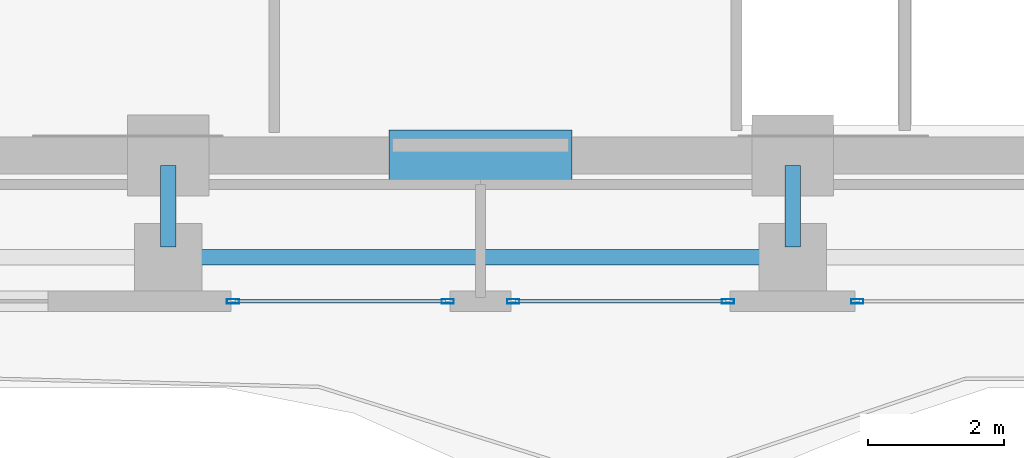
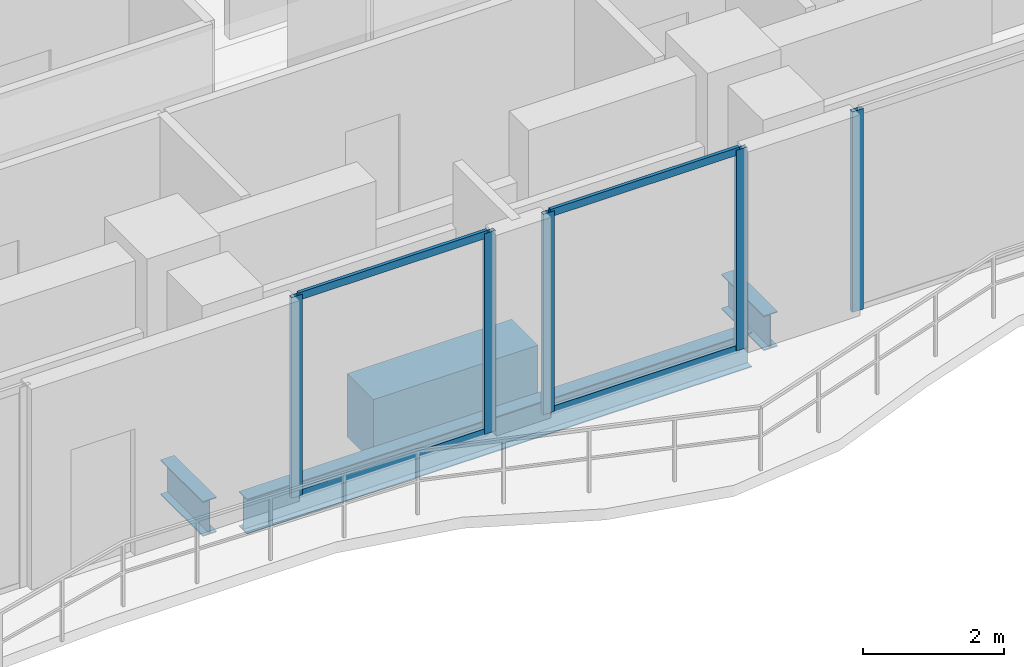
# One storey, part 4 of 23: 9 members, 4 beams, 3 elements without a shape of their own.
"""IFC4 building model written with IfcOpenShell, lengths in metres."""

from ifc_helpers import new_model, si_unit, direction, frame, origin, origin_2d, place, context, subcontext, project, spatial, rectangle, hollow_rectangle, i_section, extrude, material, layer, layer_set, material_profile, profile_set, type_object, element, aggregate, save


model = new_model("IFC4")

# Units and contexts
model_context = context("Model", 3, precision=1e-05, world=origin(), true_north=direction((0.0, 1.0)))
body_context = subcontext(model_context, "Body", "Model", "MODEL_VIEW")
ifc_project = project(units=[si_unit("LENGTHUNIT", "METRE"), si_unit("AREAUNIT", "SQUARE_METRE"), si_unit("VOLUMEUNIT", "CUBIC_METRE"), si_unit("PLANEANGLEUNIT", "RADIAN"), si_unit("MASSUNIT", "GRAM", prefix="KILO")], contexts=[model_context])

# Site, building, storey
site_placement = place(None, origin())
site = spatial("IfcSite", under=ifc_project, at=site_placement, CompositionType="ELEMENT")
building_placement = place(site_placement, origin())
building = spatial("IfcBuilding", under=site, at=building_placement, Name="Zuhayl Quay Hotel", CompositionType="ELEMENT")
storey_placement = place(building_placement, frame((0.0, 0.0, 265.550048828125)))
storey = spatial("IfcBuildingStorey", under=building, at=storey_placement, Name="L67", CompositionType="ELEMENT", Elevation=265.550048828125)

# Beams
ifc_material_1 = material(Name="Steel ASTM A992 Grade 50", Category="steel")
ifc_material_profile_1 = material_profile(ifc_material_1, i_section(OverallWidth=0.22802734375, OverallDepth=0.60693359375, WebThickness=0.01123046875, FlangeThickness=0.017333984375, at=origin_2d()), Name="W24X76")
ifc_profile_set_1 = profile_set([ifc_material_profile_1], Name="Steel ASTM A992 Grade 50")
beam_type_1 = type_object("IfcBeamType", Name="BM_B3_W24X76", PredefinedType="BEAM", material=ifc_profile_set_1)
beam_1_placement = place(storey_placement, frame((-4.139892578125, 0.64990234375, -0.5234375), z_axis=(1.0, 0.0, 0.0), x_axis=(0.0, 1.0, 0.0)))
element("IfcBeam", 1, at=beam_1_placement, inside=storey, type_object=beam_type_1, Name="L67 Floor Beam RG_L67_02", PredefinedType="BEAM", context=body_context, shape_type="SweptSolid", body=[
    extrude(i_section(OverallWidth=0.22802734375, OverallDepth=0.60693359375, WebThickness=0.01123046875, FlangeThickness=0.017333984375, at=origin_2d()), origin(), (0.0, 0.0, 1.0), 8.27978515625),
])
for number, where, z_axis, x_axis, name in (
    (2, (-4.60009765625, 0.800048828125, -0.5234375), (0.0, 1.0, 0.0), (-1.0, 0.0, 0.0), "L67 Floor Beam FG_S_L67_2"),
    (3, (4.60009765625, 0.800048828125, -0.5234375), (0.0, 1.0, 0.0), (-1.0, 0.0, 0.0), "L67 Floor Beam FG_S_L67_3"),
):
    element("IfcBeam", number, at=place(storey_placement, frame(where, z_axis=z_axis, x_axis=x_axis)), inside=storey, type_object=beam_type_1, Name=name, PredefinedType="BEAM", context=body_context, shape_type="SweptSolid", body=[
        extrude(i_section(OverallWidth=0.22802734375, OverallDepth=0.60693359375, WebThickness=0.01123046875, FlangeThickness=0.017333984375, at=origin_2d()), origin(), (0.0, 0.0, 1.0), 1.199951171875),
    ])
ifc_material_2 = material(Name="Concrete C60/75", Category="concrete")
ifc_material_profile_2 = material_profile(ifc_material_2, rectangle(XDim=0.75, YDim=1.10009765625, at=origin_2d()), Name="RC750X1100")
ifc_profile_set_2 = profile_set([ifc_material_profile_2], Name="Concrete C60/75")
beam_type_2 = type_object("IfcBeamType", Name="BM_CB2_RC750", PredefinedType="T_BEAM", material=ifc_profile_set_2)
beam_2_placement = place(storey_placement, frame((-1.35009765625, 2.14990234375, -0.77001953125), z_axis=(1.0, 0.0, 0.0), x_axis=(0.0, 1.0, 0.0)))
element("IfcBeam", 4, at=beam_2_placement, inside=storey, type_object=beam_type_2, Name="L67 Core Coupling Beam South", PredefinedType="T_BEAM", context=body_context, shape_type="SweptSolid", body=[
    extrude(rectangle(XDim=0.75, YDim=1.10009765625, at=origin_2d()), origin(), (0.0, 0.0, 1.0), 2.7001953125),
])

# Curtain wall, member
ifc_material_3 = material(Name="Anodised Aluminium 6063-T6", Category="aluminium")
ifc_layer = layer(ifc_material_3, 0.169921875, Name="Anodised Aluminium 6063-T6", Category="aluminium")
ifc_layer_set = layer_set([ifc_layer], Name="Anodised Aluminium 6063-T6")
curtain_wall_type = type_object("IfcCurtainWallType", Name="CW_SYS_Z4", PredefinedType="USERDEFINED", material=ifc_layer_set)
curtain_wall_1_placement = place(storey_placement, origin())
curtain_wall_1 = element("IfcCurtainWall", 5, at=curtain_wall_1_placement, inside=storey, type_object=curtain_wall_type, Name="L67 Curtain Wall ENV_L67_S_CW1", ObjectType="UNITISED CURTAIN WALL", PredefinedType="USERDEFINED")
ifc_material_4 = material(Name="Black-anodised aluminium 6063-T6", Category="aluminium")
ifc_material_profile_3 = material_profile(ifc_material_4, hollow_rectangle(XDim=0.06494140625, YDim=0.179931640625, WallThickness=0.00341796875, at=origin_2d()), Name="ALU180X65")
ifc_profile_set_3 = profile_set([ifc_material_profile_3], Name="Black-anodised aluminium 6063-T6")
member_type_1 = type_object("IfcMemberType", Name="MB_CW_MUL_180", PredefinedType="MULLION", material=ifc_profile_set_3)
member_1_placement = place(storey_placement, frame((5.552490234375, 0.0, 0.0), z_axis=(0.0, 0.0, 1.0), x_axis=(0.0, -1.0, 0.0)))
member_1 = element("IfcMember", 6, at=member_1_placement, type_object=member_type_1, Name="CW-Z4 mullion 2", PredefinedType="MULLION", context=body_context, shape_type="SweptSolid", body=[
    extrude(hollow_rectangle(XDim=0.06494140625, YDim=0.179931640625, WallThickness=0.00341796875, at=origin_2d()), origin(), (0.0, 0.0, 1.0), 3.47998046875),
])
aggregate(curtain_wall_1, [member_1])

# Curtain wall, members
curtain_wall_2_placement = place(storey_placement, origin())
curtain_wall_2 = element("IfcCurtainWall", 7, at=curtain_wall_2_placement, inside=storey, type_object=curtain_wall_type, Name="L67 Curtain Wall ENV_L67_S_CW2", ObjectType="UNITISED CURTAIN WALL", PredefinedType="USERDEFINED")
member_2_placement = place(storey_placement, frame((3.6474609375, 0.0, 0.0), z_axis=(0.0, 0.0, 1.0), x_axis=(0.0, -1.0, 0.0)))
member_2 = element("IfcMember", 8, at=member_2_placement, type_object=member_type_1, Name="CW-Z4 mullion 1", PredefinedType="MULLION", context=body_context, shape_type="SweptSolid", body=[
    extrude(hollow_rectangle(XDim=0.06494140625, YDim=0.179931640625, WallThickness=0.00341796875, at=origin_2d()), origin(), (0.0, 0.0, 1.0), 3.47998046875),
])
member_3_placement = place(storey_placement, frame((0.482421875, 0.0, 0.0), z_axis=(0.0, 0.0, 1.0), x_axis=(0.0, -1.0, 0.0)))
member_3 = element("IfcMember", 9, at=member_3_placement, type_object=member_type_1, Name="CW-Z4 mullion 2", PredefinedType="MULLION", context=body_context, shape_type="SweptSolid", body=[
    extrude(hollow_rectangle(XDim=0.06494140625, YDim=0.179931640625, WallThickness=0.00341796875, at=origin_2d()), origin(), (0.0, 0.0, 1.0), 3.47998046875),
])

curtain_wall_3_placement = place(storey_placement, origin())
curtain_wall_3 = element("IfcCurtainWall", 10, at=curtain_wall_3_placement, inside=storey, type_object=curtain_wall_type, Name="L67 Curtain Wall ENV_L67_S_CW3", ObjectType="UNITISED CURTAIN WALL", PredefinedType="USERDEFINED")
member_4_placement = place(storey_placement, frame((-0.482421875, 0.0, 0.0), z_axis=(0.0, 0.0, 1.0), x_axis=(0.0, -1.0, 0.0)))
member_4 = element("IfcMember", 11, at=member_4_placement, type_object=member_type_1, Name="CW-Z4 mullion 1", PredefinedType="MULLION", context=body_context, shape_type="SweptSolid", body=[
    extrude(hollow_rectangle(XDim=0.06494140625, YDim=0.179931640625, WallThickness=0.00341796875, at=origin_2d()), origin(), (0.0, 0.0, 1.0), 3.47998046875),
])
member_5_placement = place(storey_placement, frame((-3.6474609375, 0.0, 0.0), z_axis=(0.0, 0.0, 1.0), x_axis=(0.0, -1.0, 0.0)))
member_5 = element("IfcMember", 12, at=member_5_placement, type_object=member_type_1, Name="CW-Z4 mullion 2", PredefinedType="MULLION", context=body_context, shape_type="SweptSolid", body=[
    extrude(hollow_rectangle(XDim=0.06494140625, YDim=0.179931640625, WallThickness=0.00341796875, at=origin_2d()), origin(), (0.0, 0.0, 1.0), 3.47998046875),
])

# Member
ifc_material_profile_4 = material_profile(ifc_material_4, hollow_rectangle(XDim=0.054931640625, YDim=0.1298828125, WallThickness=0.0029296875, at=origin_2d()), Name="ALU130X55")
ifc_profile_set_4 = profile_set([ifc_material_profile_4], Name="Black-anodised aluminium 6063-T6")
member_type_2 = type_object("IfcMemberType", Name="MB_CW_TRN_130", PredefinedType="USERDEFINED", material=ifc_profile_set_4)
member_6_placement = place(storey_placement, frame((3.614990234375, 0.0, 0.02734375), z_axis=(-1.0, 0.0, 0.0), x_axis=(0.0, -1.0, 0.0)))
member_6 = element("IfcMember", 13, at=member_6_placement, type_object=member_type_2, Name="CW-Z4 transom 1.1", ObjectType="TRANSOM", PredefinedType="USERDEFINED", context=body_context, shape_type="SweptSolid", body=[
    extrude(hollow_rectangle(XDim=0.054931640625, YDim=0.1298828125, WallThickness=0.0029296875, at=origin_2d()), origin(), (0.0, 0.0, 1.0), 3.10009765625),
])

member_7_placement = place(storey_placement, frame((3.614990234375, 0.0, 3.452392578125), z_axis=(-1.0, 0.0, 0.0), x_axis=(0.0, -1.0, 0.0)))
member_7 = element("IfcMember", 14, at=member_7_placement, type_object=member_type_2, Name="CW-Z4 transom 1.2", ObjectType="TRANSOM", PredefinedType="USERDEFINED", context=body_context, shape_type="SweptSolid", body=[
    extrude(hollow_rectangle(XDim=0.054931640625, YDim=0.1298828125, WallThickness=0.0029296875, at=origin_2d()), origin(), (0.0, 0.0, 1.0), 3.10009765625),
])

aggregate(curtain_wall_2, [member_2, member_3, member_6, member_7])

member_8_placement = place(storey_placement, frame((-0.514892578125, 0.0, 0.02734375), z_axis=(-1.0, 0.0, 0.0), x_axis=(0.0, -1.0, 0.0)))
member_8 = element("IfcMember", 15, at=member_8_placement, type_object=member_type_2, Name="CW-Z4 transom 1.1", ObjectType="TRANSOM", PredefinedType="USERDEFINED", context=body_context, shape_type="SweptSolid", body=[
    extrude(hollow_rectangle(XDim=0.054931640625, YDim=0.1298828125, WallThickness=0.0029296875, at=origin_2d()), origin(), (0.0, 0.0, 1.0), 3.10009765625),
])

member_9_placement = place(storey_placement, frame((-0.514892578125, 0.0, 3.452392578125), z_axis=(-1.0, 0.0, 0.0), x_axis=(0.0, -1.0, 0.0)))
member_9 = element("IfcMember", 16, at=member_9_placement, type_object=member_type_2, Name="CW-Z4 transom 1.2", ObjectType="TRANSOM", PredefinedType="USERDEFINED", context=body_context, shape_type="SweptSolid", body=[
    extrude(hollow_rectangle(XDim=0.054931640625, YDim=0.1298828125, WallThickness=0.0029296875, at=origin_2d()), origin(), (0.0, 0.0, 1.0), 3.10009765625),
])

aggregate(curtain_wall_3, [member_4, member_5, member_8, member_9])

save(model, "model.ifc")
